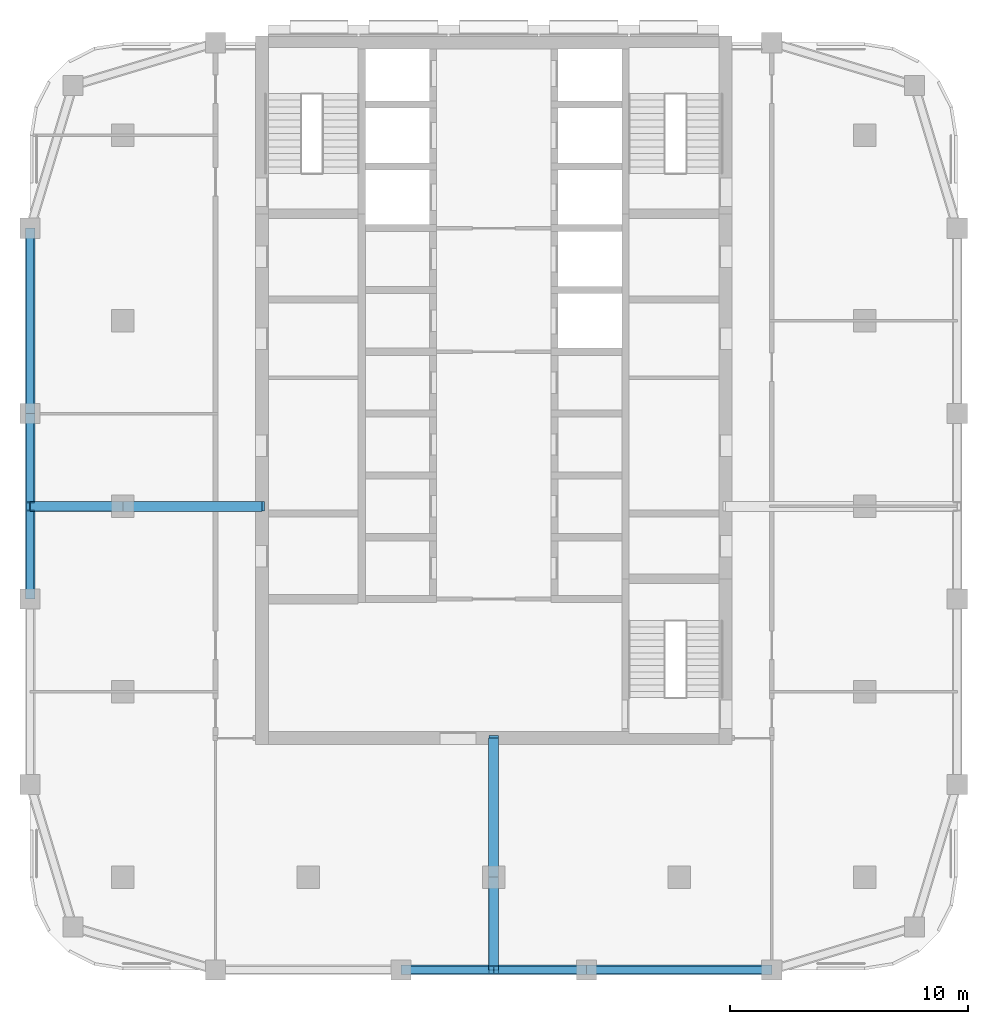
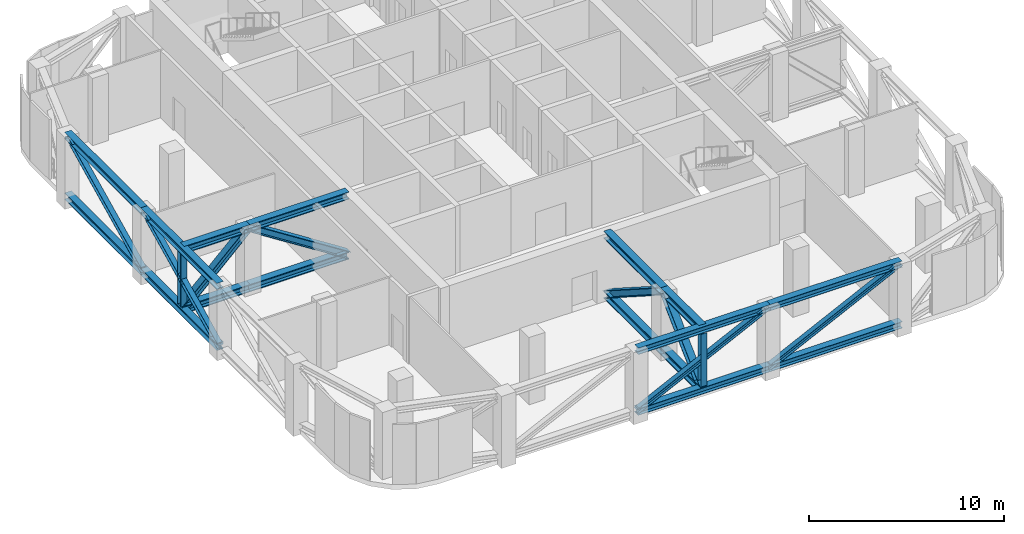
# One storey, part 2 of 11: 26 members.
"""IFC4 building model written with IfcOpenShell, lengths in metres."""

from ifc_helpers import new_model, si_unit, direction, frame, origin, origin_2d, place, context, subcontext, project, spatial, i_section, extrude, material, material_profile, profile_set, type_object, element, save


model = new_model("IFC4")

# Units and contexts
model_context = context("Model", 3, precision=1e-05, world=origin(), true_north=direction((0.0, 1.0)))
body_context = subcontext(model_context, "Body", "Model", "MODEL_VIEW")
ifc_project = project(units=[si_unit("LENGTHUNIT", "METRE"), si_unit("AREAUNIT", "SQUARE_METRE"), si_unit("VOLUMEUNIT", "CUBIC_METRE"), si_unit("PLANEANGLEUNIT", "RADIAN"), si_unit("MASSUNIT", "GRAM", prefix="KILO")], contexts=[model_context])

# Site, building, storey
site_placement = place(None, origin())
site = spatial("IfcSite", under=ifc_project, at=site_placement, CompositionType="ELEMENT")
building_placement = place(site_placement, origin())
building = spatial("IfcBuilding", under=site, at=building_placement, Name="Ludao Terraces", CompositionType="ELEMENT")
storey_placement = place(building_placement, frame((0.0, 0.0, 144.10009765625)))
storey = spatial("IfcBuildingStorey", under=building, at=storey_placement, Name="L39", CompositionType="ELEMENT", Elevation=144.10009765625)

# Members
ifc_material = material(Name="Steel Q355", Category="steel")
ifc_material_profile_1 = material_profile(ifc_material, i_section(OverallWidth=0.39990234375, OverallDepth=0.39990234375, WebThickness=0.012939453125, FlangeThickness=0.02099609375, at=origin_2d()), Name="HW 400X400X13X21")
ifc_profile_set_1 = profile_set([ifc_material_profile_1], Name="Steel Q355")
member_type_1 = type_object("IfcMemberType", Name="Belt truss chord HW 400x400x13x21 Q355", PredefinedType="CHORD", material=ifc_profile_set_1)
for number, where, z_axis, x_axis, name in (
    (1, (81.10009765625, 45.5, 4.0), (1.0, 0.0, 0.0), (0.0, 1.0, 0.0), "Truss chord L39 BT3T1"),
    (2, (81.10009765625, 45.5, 0.199951171875), (1.0, 0.0, 0.0), (0.0, 1.0, 0.0), "Truss chord L39 BT3B1"),
):
    element("IfcMember", number, at=place(storey_placement, frame(where, z_axis=z_axis, x_axis=x_axis)), inside=storey, type_object=member_type_1, Name=name, PredefinedType="CHORD", context=body_context, shape_type="SweptSolid", body=[
        extrude(i_section(OverallWidth=0.39990234375, OverallDepth=0.39990234375, WebThickness=0.012939453125, FlangeThickness=0.02099609375, at=origin_2d()), origin(), (0.0, 0.0, 1.0), 7.7998046875),
    ])
for number, where, z_axis, x_axis, name in (
    (3, (88.89990234375, 45.5, 4.0), (1.0, 0.0, 0.0), (0.0, 1.0, 0.0), "Truss chord L39 BT4T1"),
    (4, (88.89990234375, 45.5, 0.199951171875), (1.0, 0.0, 0.0), (0.0, 1.0, 0.0), "Truss chord L39 BT4B1"),
):
    element("IfcMember", number, at=place(storey_placement, frame(where, z_axis=z_axis, x_axis=x_axis)), inside=storey, type_object=member_type_1, Name=name, PredefinedType="CHORD", context=body_context, shape_type="SweptSolid", body=[
        extrude(i_section(OverallWidth=0.39990234375, OverallDepth=0.39990234375, WebThickness=0.012939453125, FlangeThickness=0.02099609375, at=origin_2d()), origin(), (0.0, 0.0, 1.0), 7.800048828125),
    ])
for number, where, z_axis, x_axis, name in (
    (5, (65.5, 61.10009765625, 4.0), (0.0, 1.0, 0.0), (-1.0, 0.0, 0.0), "Truss chord L39 BT10T1"),
    (6, (65.5, 61.10009765625, 0.199951171875), (0.0, 1.0, 0.0), (-1.0, 0.0, 0.0), "Truss chord L39 BT10B1"),
):
    element("IfcMember", number, at=place(storey_placement, frame(where, z_axis=z_axis, x_axis=x_axis)), inside=storey, type_object=member_type_1, Name=name, PredefinedType="CHORD", context=body_context, shape_type="SweptSolid", body=[
        extrude(i_section(OverallWidth=0.39990234375, OverallDepth=0.39990234375, WebThickness=0.012939453125, FlangeThickness=0.02099609375, at=origin_2d()), origin(), (0.0, 0.0, 1.0), 7.7998046875),
    ])
for number, where, z_axis, x_axis, name in (
    (7, (65.5, 68.89990234375, 4.0), (0.0, 1.0, 0.0), (-1.0, 0.0, 0.0), "Truss chord L39 BT11T1"),
    (8, (65.5, 68.89990234375, 0.199951171875), (0.0, 1.0, 0.0), (-1.0, 0.0, 0.0), "Truss chord L39 BT11B1"),
):
    element("IfcMember", number, at=place(storey_placement, frame(where, z_axis=z_axis, x_axis=x_axis)), inside=storey, type_object=member_type_1, Name=name, PredefinedType="CHORD", context=body_context, shape_type="SweptSolid", body=[
        extrude(i_section(OverallWidth=0.39990234375, OverallDepth=0.39990234375, WebThickness=0.012939453125, FlangeThickness=0.02099609375, at=origin_2d()), origin(), (0.0, 0.0, 1.0), 7.800048828125),
    ])
ifc_material_profile_2 = material_profile(ifc_material, i_section(OverallWidth=0.300048828125, OverallDepth=0.300048828125, WebThickness=0.010009765625, FlangeThickness=0.014892578125, at=origin_2d()), Name="HW 300X300X10X15")
ifc_profile_set_2 = profile_set([ifc_material_profile_2], Name="Steel Q355")
member_type_2 = type_object("IfcMemberType", Name="Belt truss diagonal HW 300x300x10x15 Q355", PredefinedType="BRACE", material=ifc_profile_set_2)
member_1_placement = place(storey_placement, frame((81.10009765625, 45.5, 0.199951171875), z_axis=(0.898983334878, 0.0, 0.437982834837), x_axis=(0.0, 1.0, 0.0)))
element("IfcMember", 9, at=member_1_placement, inside=storey, type_object=member_type_2, Name="Truss diagonal L39 BT31", PredefinedType="BRACE", context=body_context, shape_type="SweptSolid", body=[
    extrude(i_section(OverallWidth=0.300048828125, OverallDepth=0.300048828125, WebThickness=0.010009765625, FlangeThickness=0.014892578125, at=origin_2d()), origin(), (0.0, 0.0, 1.0), 8.67626953125),
])
member_2_placement = place(storey_placement, frame((88.89990234375, 45.5, 0.199951171875), z_axis=(0.89898873254, 0.0, 0.437971755672), x_axis=(0.0, 1.0, 0.0)))
element("IfcMember", 10, at=member_2_placement, inside=storey, type_object=member_type_2, Name="Truss diagonal L39 BT41", PredefinedType="BRACE", context=body_context, shape_type="SweptSolid", body=[
    extrude(i_section(OverallWidth=0.300048828125, OverallDepth=0.300048828125, WebThickness=0.010009765625, FlangeThickness=0.014892578125, at=origin_2d()), origin(), (0.0, 0.0, 1.0), 8.676513671875),
])
member_3_placement = place(storey_placement, frame((65.5, 61.10009765625, 0.199951171875), z_axis=(0.0, 0.898983334878, 0.437982834837), x_axis=(-1.0, 0.0, 0.0)))
element("IfcMember", 11, at=member_3_placement, inside=storey, type_object=member_type_2, Name="Truss diagonal L39 BT101", PredefinedType="BRACE", context=body_context, shape_type="SweptSolid", body=[
    extrude(i_section(OverallWidth=0.300048828125, OverallDepth=0.300048828125, WebThickness=0.010009765625, FlangeThickness=0.014892578125, at=origin_2d()), origin(), (0.0, 0.0, 1.0), 8.67626953125),
])
member_4_placement = place(storey_placement, frame((65.5, 68.89990234375, 0.199951171875), z_axis=(0.0, 0.89898873254, 0.437971755672), x_axis=(-1.0, 0.0, 0.0)))
element("IfcMember", 12, at=member_4_placement, inside=storey, type_object=member_type_2, Name="Truss diagonal L39 BT111", PredefinedType="BRACE", context=body_context, shape_type="SweptSolid", body=[
    extrude(i_section(OverallWidth=0.300048828125, OverallDepth=0.300048828125, WebThickness=0.010009765625, FlangeThickness=0.014892578125, at=origin_2d()), origin(), (0.0, 0.0, 1.0), 8.676513671875),
])
ifc_material_profile_3 = material_profile(ifc_material, i_section(OverallWidth=0.4169921875, OverallDepth=0.4580078125, WebThickness=0.030029296875, FlangeThickness=0.050048828125, at=origin_2d()), Name="HW 458X417X30X50")
ifc_profile_set_3 = profile_set([ifc_material_profile_3], Name="Steel Q355")
member_type_3 = type_object("IfcMemberType", Name="Outrigger chord HW 458x417x30x50 Q355", PredefinedType="CHORD", material=ifc_profile_set_3)
for number, where, z_axis, x_axis, name in (
    (13, (75.25, 65.0, 3.970947265625), (-1.0, 0.0, 0.0), (0.0, -1.0, 0.0), "Truss chord L39 ORWT1"),
    (14, (75.25, 65.0, 0.22900390625), (-1.0, 0.0, 0.0), (0.0, -1.0, 0.0), "Truss chord L39 ORWB1"),
):
    element("IfcMember", number, at=place(storey_placement, frame(where, z_axis=z_axis, x_axis=x_axis)), inside=storey, type_object=member_type_3, Name=name, PredefinedType="CHORD", context=body_context, shape_type="SweptSolid", body=[
        extrude(i_section(OverallWidth=0.4169921875, OverallDepth=0.4580078125, WebThickness=0.030029296875, FlangeThickness=0.050048828125, at=origin_2d()), origin(), (0.0, 0.0, 1.0), 5.85009765625),
    ])
for number, where, z_axis, x_axis, name in (
    (15, (69.39990234375, 65.0, 3.970947265625), (-1.0, 0.0, 0.0), (0.0, -1.0, 0.0), "Truss chord L39 ORWT2"),
    (16, (69.39990234375, 65.0, 0.22900390625), (-1.0, 0.0, 0.0), (0.0, -1.0, 0.0), "Truss chord L39 ORWB2"),
):
    element("IfcMember", number, at=place(storey_placement, frame(where, z_axis=z_axis, x_axis=x_axis)), inside=storey, type_object=member_type_3, Name=name, PredefinedType="CHORD", context=body_context, shape_type="SweptSolid", body=[
        extrude(i_section(OverallWidth=0.4169921875, OverallDepth=0.4580078125, WebThickness=0.030029296875, FlangeThickness=0.050048828125, at=origin_2d()), origin(), (0.0, 0.0, 1.0), 3.89990234375),
    ])
for number, where, z_axis, x_axis, name in (
    (17, (85.0, 55.25, 3.970947265625), (0.0, -1.0, 0.0), (1.0, 0.0, 0.0), "Truss chord L39 ORST1"),
    (18, (85.0, 55.25, 0.22900390625), (0.0, -1.0, 0.0), (1.0, 0.0, 0.0), "Truss chord L39 ORSB1"),
):
    element("IfcMember", number, at=place(storey_placement, frame(where, z_axis=z_axis, x_axis=x_axis)), inside=storey, type_object=member_type_3, Name=name, PredefinedType="CHORD", context=body_context, shape_type="SweptSolid", body=[
        extrude(i_section(OverallWidth=0.4169921875, OverallDepth=0.4580078125, WebThickness=0.030029296875, FlangeThickness=0.050048828125, at=origin_2d()), origin(), (0.0, 0.0, 1.0), 5.85009765625),
    ])
for number, where, z_axis, x_axis, name in (
    (19, (85.0, 49.39990234375, 3.970947265625), (0.0, -1.0, 0.0), (1.0, 0.0, 0.0), "Truss chord L39 ORST2"),
    (20, (85.0, 49.39990234375, 0.22900390625), (0.0, -1.0, 0.0), (1.0, 0.0, 0.0), "Truss chord L39 ORSB2"),
):
    element("IfcMember", number, at=place(storey_placement, frame(where, z_axis=z_axis, x_axis=x_axis)), inside=storey, type_object=member_type_3, Name=name, PredefinedType="CHORD", context=body_context, shape_type="SweptSolid", body=[
        extrude(i_section(OverallWidth=0.4169921875, OverallDepth=0.4580078125, WebThickness=0.030029296875, FlangeThickness=0.050048828125, at=origin_2d()), origin(), (0.0, 0.0, 1.0), 3.89990234375),
    ])
ifc_material_profile_4 = material_profile(ifc_material, i_section(OverallWidth=0.405029296875, OverallDepth=0.4140625, WebThickness=0.01806640625, FlangeThickness=0.028076171875, at=origin_2d()), Name="HW 414X405X18X28")
ifc_profile_set_4 = profile_set([ifc_material_profile_4], Name="Steel Q355")
member_type_4 = type_object("IfcMemberType", Name="Outrigger diagonal HW 414x405x18x28 Q355", PredefinedType="BRACE", material=ifc_profile_set_4)
member_5_placement = place(storey_placement, frame((75.25, 65.0, 0.22900390625), z_axis=(-0.842409922103, 0.0, 0.538837195396), x_axis=(0.0, -1.0, 0.0)))
element("IfcMember", 21, at=member_5_placement, inside=storey, type_object=member_type_4, Name="Truss diagonal L39 ORW1", PredefinedType="BRACE", context=body_context, shape_type="SweptSolid", body=[
    extrude(i_section(OverallWidth=0.405029296875, OverallDepth=0.4140625, WebThickness=0.01806640625, FlangeThickness=0.028076171875, at=origin_2d()), origin(), (0.0, 0.0, 1.0), 6.944580078125),
])
member_6_placement = place(storey_placement, frame((69.39990234375, 65.0, 3.970947265625), z_axis=(-0.721568734302, 0.0, -0.692342806476), x_axis=(0.0, -1.0, 0.0)))
element("IfcMember", 22, at=member_6_placement, inside=storey, type_object=member_type_4, Name="Truss diagonal L39 ORW2", PredefinedType="BRACE", context=body_context, shape_type="SweptSolid", body=[
    extrude(i_section(OverallWidth=0.405029296875, OverallDepth=0.4140625, WebThickness=0.01806640625, FlangeThickness=0.028076171875, at=origin_2d()), origin(), (0.0, 0.0, 1.0), 5.40478515625),
])
member_7_placement = place(storey_placement, frame((85.0, 55.25, 0.22900390625), z_axis=(0.0, -0.842409922103, 0.538837195396), x_axis=(1.0, 0.0, 0.0)))
element("IfcMember", 23, at=member_7_placement, inside=storey, type_object=member_type_4, Name="Truss diagonal L39 ORS1", PredefinedType="BRACE", context=body_context, shape_type="SweptSolid", body=[
    extrude(i_section(OverallWidth=0.405029296875, OverallDepth=0.4140625, WebThickness=0.01806640625, FlangeThickness=0.028076171875, at=origin_2d()), origin(), (0.0, 0.0, 1.0), 6.944580078125),
])
member_8_placement = place(storey_placement, frame((85.0, 49.39990234375, 3.970947265625), z_axis=(0.0, -0.721568734302, -0.692342806476), x_axis=(1.0, 0.0, 0.0)))
element("IfcMember", 24, at=member_8_placement, inside=storey, type_object=member_type_4, Name="Truss diagonal L39 ORS2", PredefinedType="BRACE", context=body_context, shape_type="SweptSolid", body=[
    extrude(i_section(OverallWidth=0.405029296875, OverallDepth=0.4140625, WebThickness=0.01806640625, FlangeThickness=0.028076171875, at=origin_2d()), origin(), (0.0, 0.0, 1.0), 5.40478515625),
])
ifc_material_profile_5 = material_profile(ifc_material, i_section(OverallWidth=0.35009765625, OverallDepth=0.35009765625, WebThickness=0.011962890625, FlangeThickness=0.01904296875, at=origin_2d()), Name="HW 350X350X12X19")
ifc_profile_set_5 = profile_set([ifc_material_profile_5], Name="Steel Q355")
member_type_5 = type_object("IfcMemberType", Name="Outrigger post HW 350x350x12x19 Q355", PredefinedType="POST", material=ifc_profile_set_5)
for number, where, z_axis, x_axis, name in (
    (25, (65.5, 65.0, 0.4580078125), (0.0, 0.0, 1.0), (1.0, 0.0, 0.0), "Truss post L39 ORW3"),
    (26, (85.0, 45.5, 0.4580078125), (0.0, 0.0, 1.0), (1.0, 0.0, 0.0), "Truss post L39 ORS3"),
):
    element("IfcMember", number, at=place(storey_placement, frame(where, z_axis=z_axis, x_axis=x_axis)), inside=storey, type_object=member_type_5, Name=name, PredefinedType="POST", context=body_context, shape_type="SweptSolid", body=[
        extrude(i_section(OverallWidth=0.35009765625, OverallDepth=0.35009765625, WebThickness=0.011962890625, FlangeThickness=0.01904296875, at=origin_2d()), origin(), (0.0, 0.0, 1.0), 3.283935546875),
    ])

save(model, "model.ifc")
